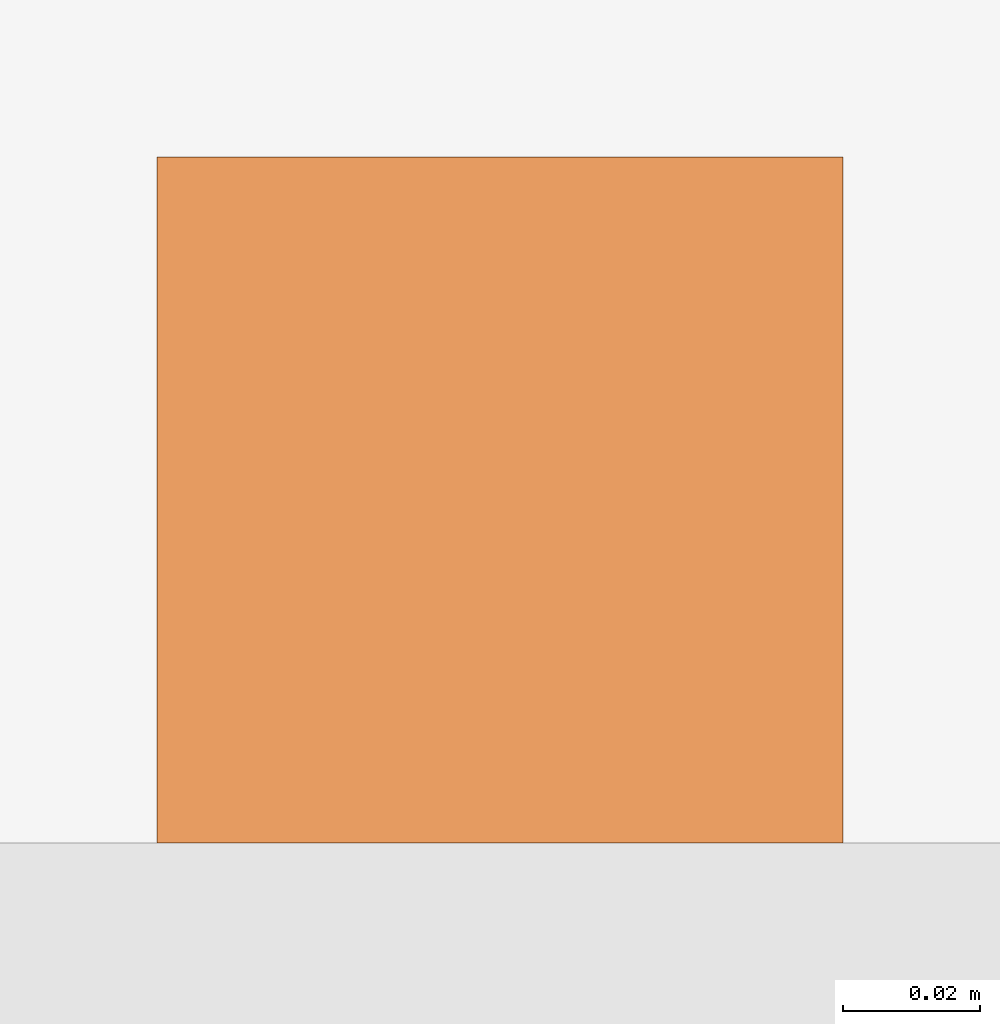
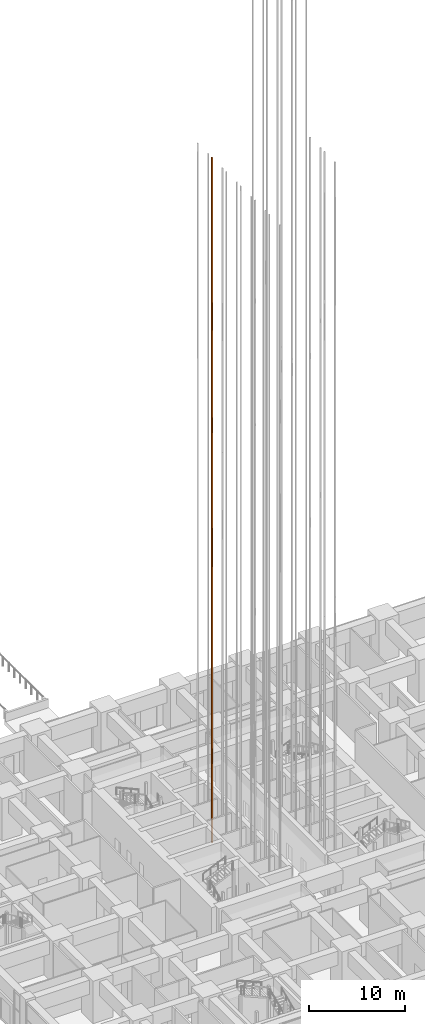
# One storey, part 76 of 81: 1 proxy.
"""IFC4 building model written with IfcOpenShell, lengths in metres."""

from ifc_helpers import new_model, si_unit, direction, frame, origin, origin_2d, place, context, subcontext, project, spatial, rectangle, extrude, material, type_object, element, save


model = new_model("IFC4")

# Units and contexts
model_context = context("Model", 3, precision=1e-05, world=origin(), true_north=direction((0.0, 1.0)))
body_context = subcontext(model_context, "Body", "Model", "MODEL_VIEW")
ifc_project = project(units=[si_unit("LENGTHUNIT", "METRE"), si_unit("AREAUNIT", "SQUARE_METRE"), si_unit("VOLUMEUNIT", "CUBIC_METRE"), si_unit("PLANEANGLEUNIT", "RADIAN"), si_unit("MASSUNIT", "GRAM", prefix="KILO")], contexts=[model_context])

# Site, building, storey
site_placement = place(None, origin())
site = spatial("IfcSite", under=ifc_project, at=site_placement, CompositionType="ELEMENT")
building_placement = place(site_placement, origin())
building = spatial("IfcBuilding", under=site, at=building_placement, Name="Rekha Terrace Tower", CompositionType="ELEMENT")
storey_placement = place(building_placement, origin())
storey = spatial("IfcBuildingStorey", under=building, at=storey_placement, Name="L00", CompositionType="ELEMENT", Elevation=0.0)

# Proxy
ifc_material = material(Name="Steel guide rail", Category="steel")
building_element_proxy_type = type_object("IfcBuildingElementProxyType", Name="LR1 100 lift guide rail", PredefinedType="ELEMENT", material=ifc_material)
proxy_placement = place(storey_placement, frame((34.5, 38.0, 0.0), z_axis=(0.0, 0.0, 1.0), x_axis=(1.0, 0.0, 0.0)))
element("IfcBuildingElementProxy", 1, at=proxy_placement, inside=storey, type_object=building_element_proxy_type, Name="Lift A5 guide rail 2", PredefinedType="ELEMENT", context=body_context, shape_type="SweptSolid", body=[
    extrude(rectangle(XDim=0.10009765625, YDim=0.10009765625, at=origin_2d()), origin(), (0.0, 0.0, 1.0), 87.5),
])

save(model, "model.ifc")
